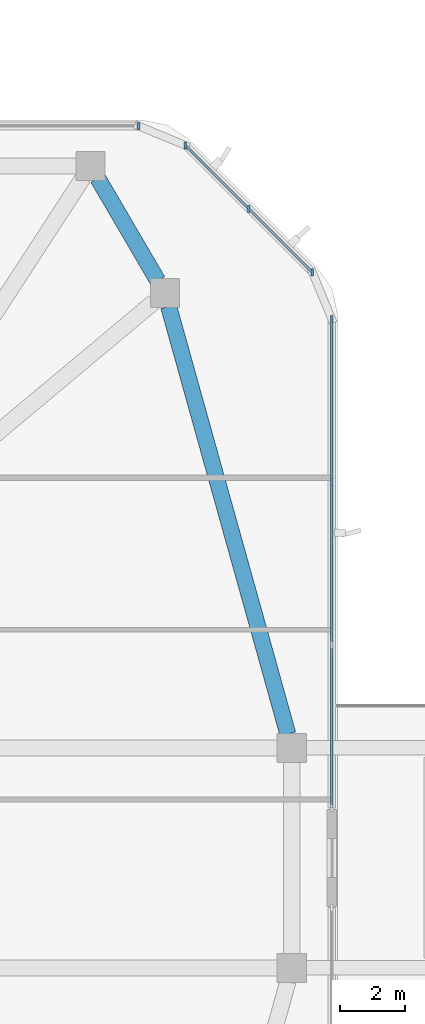
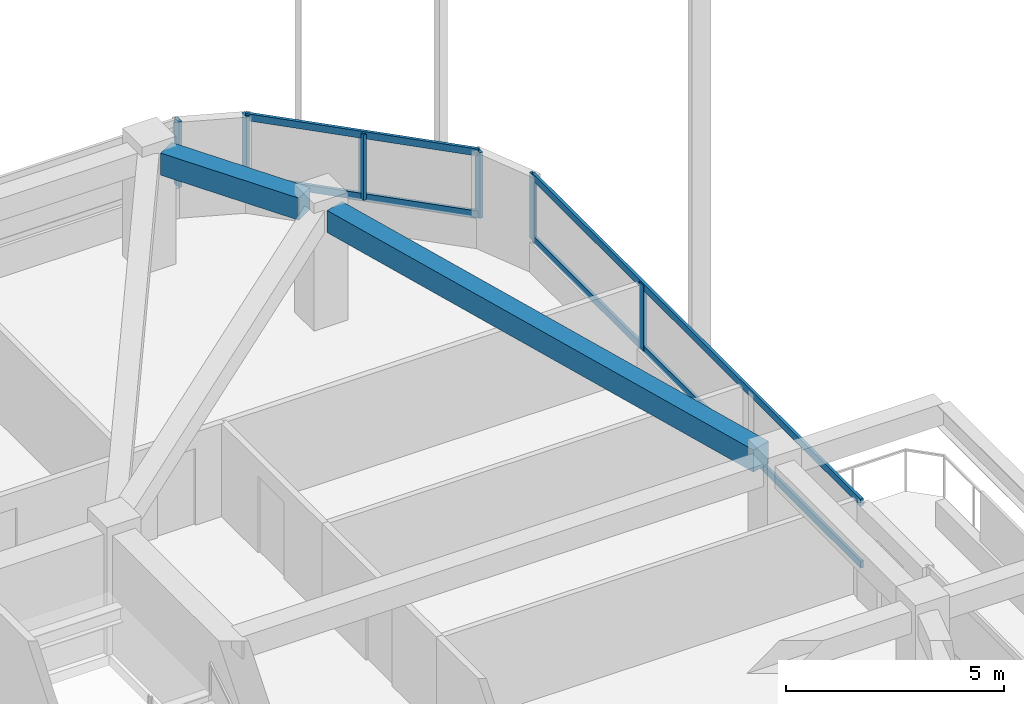
# One storey, part 8 of 17: 10 members, 2 beams, 3 elements without a shape of their own.
"""IFC4 building model written with IfcOpenShell, lengths in metres."""

from ifc_helpers import new_model, si_unit, derived_unit, direction, frame, origin, origin_2d, place, context, subcontext, project, spatial, rectangle, extrude, material, material_profile, profile_set, type_object, element, aggregate, save


model = new_model("IFC4")

# Units and contexts
model_context = context("Model", 3, precision=1e-05, world=origin(), true_north=direction((0.0, 1.0)))
body_context = subcontext(model_context, "Body", "Model", "MODEL_VIEW")
ifc_project = project(units=[si_unit("LENGTHUNIT", "METRE"), si_unit("AREAUNIT", "SQUARE_METRE"), si_unit("VOLUMEUNIT", "CUBIC_METRE"), si_unit("PLANEANGLEUNIT", "RADIAN"), si_unit("MASSUNIT", "GRAM", prefix="KILO"), derived_unit("THERMALTRANSMITTANCEUNIT", [(si_unit("POWERUNIT", "WATT"), 1), (si_unit("LENGTHUNIT", "METRE"), -2), (si_unit("THERMODYNAMICTEMPERATUREUNIT", "KELVIN"), -1)])], contexts=[model_context])

# Site, building, storey
site_placement = place(None, origin())
site = spatial("IfcSite", under=ifc_project, at=site_placement, CompositionType="ELEMENT")
building_placement = place(site_placement, origin())
building = spatial("IfcBuilding", under=site, at=building_placement, Name="Koralith Skygarden Medical Center", CompositionType="ELEMENT")
storey_placement = place(building_placement, frame((0.0, 0.0, 221.580078125)))
storey = spatial("IfcBuildingStorey", under=building, at=storey_placement, Name="L57", CompositionType="ELEMENT", Elevation=221.580078125)

# Curtain wall, members
ifc_material_1 = material(Name="Clear Laminated Glass", Category="glass")
curtain_wall_type = type_object("IfcCurtainWallType", Name="CW-5 Zone 4 Flare Biophilic Curtain Wall", PredefinedType="NOTDEFINED", material=ifc_material_1)
curtain_wall_1_placement = place(storey_placement, origin())
curtain_wall_1 = element("IfcCurtainWall", 1, at=curtain_wall_1_placement, inside=storey, type_object=curtain_wall_type, Name="Curtain Wall CW-L57-E-R", PredefinedType="NOTDEFINED")
ifc_material_2 = material(Name="Aluminium 6063-T6", Category="aluminium")
ifc_material_profile_1 = material_profile(ifc_material_2, rectangle(XDim=0.080078125, YDim=0.219970703125, at=origin_2d()), Name="MUL80X220")
ifc_profile_set_1 = profile_set([ifc_material_profile_1], Name="Aluminium 6063-T6")
member_type_1 = type_object("IfcMemberType", Name="CW-5 Extruded Mullion 80x220", PredefinedType="MULLION", material=ifc_profile_set_1)
member_1_placement = place(storey_placement, frame((63.9619140625, 37.510009765625, 0.849853515625), z_axis=(0.0, 0.0, 1.0), x_axis=(1.0, 0.0, 0.0)))
member_1 = element("IfcMember", 2, at=member_1_placement, type_object=member_type_1, Name="CW-L57-E-R Mullion 3", PredefinedType="MULLION", context=body_context, shape_type="SweptSolid", body=[
    extrude(rectangle(XDim=0.080078125, YDim=0.219970703125, at=origin_2d()), origin(), (0.0, 0.0, 1.0), 1.840087890625),
])
member_2_placement = place(storey_placement, frame((63.9619140625, 42.544921875, 0.849853515625), z_axis=(0.0, 0.0, 1.0), x_axis=(1.0, 0.0, 0.0)))
member_2 = element("IfcMember", 3, at=member_2_placement, type_object=member_type_1, Name="CW-L57-E-R Mullion 4", PredefinedType="MULLION", context=body_context, shape_type="SweptSolid", body=[
    extrude(rectangle(XDim=0.080078125, YDim=0.219970703125, at=origin_2d()), origin(), (0.0, 0.0, 1.0), 1.840087890625),
])

curtain_wall_2_placement = place(storey_placement, origin())
curtain_wall_2 = element("IfcCurtainWall", 4, at=curtain_wall_2_placement, inside=storey, type_object=curtain_wall_type, Name="Curtain Wall CW-L57-NE", PredefinedType="NOTDEFINED")
member_3_placement = place(storey_placement, frame((63.361083984375, 43.99609375, 0.849853515625), z_axis=(0.0, 0.0, 1.0), x_axis=(1.0, 0.0, 0.0)))
member_3 = element("IfcMember", 5, at=member_3_placement, type_object=member_type_1, Name="CW-L57-NE Mullion 1", PredefinedType="MULLION", context=body_context, shape_type="SweptSolid", body=[
    extrude(rectangle(XDim=0.080078125, YDim=0.219970703125, at=origin_2d()), origin(), (0.0, 0.0, 1.0), 1.840087890625),
])
member_4_placement = place(storey_placement, frame((61.39892578125, 45.9580078125, 0.849853515625), z_axis=(0.0, 0.0, 1.0), x_axis=(1.0, 0.0, 0.0)))
member_4 = element("IfcMember", 6, at=member_4_placement, type_object=member_type_1, Name="CW-L57-NE Mullion 2", PredefinedType="MULLION", context=body_context, shape_type="SweptSolid", body=[
    extrude(rectangle(XDim=0.080078125, YDim=0.219970703125, at=origin_2d()), origin(), (0.0, 0.0, 1.0), 1.840087890625),
])
member_5_placement = place(storey_placement, frame((59.43798828125, 47.9189453125, 0.849853515625), z_axis=(0.0, 0.0, 1.0), x_axis=(1.0, 0.0, 0.0)))
member_5 = element("IfcMember", 7, at=member_5_placement, type_object=member_type_1, Name="CW-L57-NE Mullion 3", PredefinedType="MULLION", context=body_context, shape_type="SweptSolid", body=[
    extrude(rectangle(XDim=0.080078125, YDim=0.219970703125, at=origin_2d()), origin(), (0.0, 0.0, 1.0), 1.840087890625),
])

# Curtain wall, member
curtain_wall_3_placement = place(storey_placement, origin())
curtain_wall_3 = element("IfcCurtainWall", 8, at=curtain_wall_3_placement, inside=storey, type_object=curtain_wall_type, Name="Curtain Wall CW-L57-N", PredefinedType="NOTDEFINED")
member_6_placement = place(storey_placement, frame((57.987060546875, 48.52001953125, 0.849853515625), z_axis=(0.0, 0.0, 1.0), x_axis=(1.0, 0.0, 0.0)))
member_6 = element("IfcMember", 9, at=member_6_placement, type_object=member_type_1, Name="CW-L57-N Mullion 1", PredefinedType="MULLION", context=body_context, shape_type="SweptSolid", body=[
    extrude(rectangle(XDim=0.080078125, YDim=0.219970703125, at=origin_2d()), origin(), (0.0, 0.0, 1.0), 1.840087890625),
])
aggregate(curtain_wall_3, [member_6])

# Member
ifc_material_profile_2 = material_profile(ifc_material_2, rectangle(XDim=0.074951171875, YDim=0.197998046875, at=origin_2d()), Name="TRN75X198")
ifc_profile_set_2 = profile_set([ifc_material_profile_2], Name="Aluminium 6063-T6")
member_type_2 = type_object("IfcMemberType", Name="CW-5 Thermal Transom 75x198", PredefinedType="USERDEFINED", material=ifc_profile_set_2)
member_7_placement = place(storey_placement, frame((63.9619140625, 27.43994140625, 0.89990234375), z_axis=(0.0, 1.0, 0.0), x_axis=(-1.0, 0.0, 0.0)))
member_7 = element("IfcMember", 10, at=member_7_placement, type_object=member_type_2, Name="CW-L57-E-R Transom 1", ObjectType="TRANSOM", PredefinedType="USERDEFINED", context=body_context, shape_type="SweptSolid", body=[
    extrude(rectangle(XDim=0.074951171875, YDim=0.197998046875, at=origin_2d()), origin(), (0.0, 0.0, 1.0), 15.10498046875),
])

member_8_placement = place(storey_placement, frame((63.9619140625, 27.43994140625, 2.639892578125), z_axis=(0.0, 1.0, 0.0), x_axis=(-1.0, 0.0, 0.0)))
member_8 = element("IfcMember", 11, at=member_8_placement, type_object=member_type_2, Name="CW-L57-E-R Transom 2", ObjectType="TRANSOM", PredefinedType="USERDEFINED", context=body_context, shape_type="SweptSolid", body=[
    extrude(rectangle(XDim=0.074951171875, YDim=0.197998046875, at=origin_2d()), origin(), (0.0, 0.0, 1.0), 15.10498046875),
])

aggregate(curtain_wall_1, [member_1, member_2, member_7, member_8])

member_9_placement = place(storey_placement, frame((63.361083984375, 43.99609375, 0.89990234375), z_axis=(-0.707128783731, 0.707084777957, 0.0), x_axis=(-0.707084777957, -0.707128783731, 0.0)))
member_9 = element("IfcMember", 12, at=member_9_placement, type_object=member_type_2, Name="CW-L57-NE Transom 1", ObjectType="TRANSOM", PredefinedType="USERDEFINED", context=body_context, shape_type="SweptSolid", body=[
    extrude(rectangle(XDim=0.074951171875, YDim=0.197998046875, at=origin_2d()), origin(), (0.0, 0.0, 1.0), 5.5478515625),
])

member_10_placement = place(storey_placement, frame((63.361083984375, 43.99609375, 2.639892578125), z_axis=(-0.707128783731, 0.707084777957, 0.0), x_axis=(-0.707084777957, -0.707128783731, 0.0)))
member_10 = element("IfcMember", 13, at=member_10_placement, type_object=member_type_2, Name="CW-L57-NE Transom 2", ObjectType="TRANSOM", PredefinedType="USERDEFINED", context=body_context, shape_type="SweptSolid", body=[
    extrude(rectangle(XDim=0.074951171875, YDim=0.197998046875, at=origin_2d()), origin(), (0.0, 0.0, 1.0), 5.5478515625),
])

aggregate(curtain_wall_2, [member_3, member_4, member_5, member_9, member_10])

# Beams
ifc_material_3 = material(Name="Concrete C45/55", Category="concrete")
ifc_material_profile_3 = material_profile(ifc_material_3, rectangle(XDim=0.5, YDim=0.6201171875, at=origin_2d()), Name="RCB500X620")
ifc_profile_set_3 = profile_set([ifc_material_profile_3], Name="Concrete C45/55")
beam_type = type_object("IfcBeamType", Name="Zone 4-5 Spandrel Beam RCB500X620", PredefinedType="SPANDREL", material=ifc_profile_set_3)
beam_1_placement = place(storey_placement, frame((62.60400390625, 29.72412109375, 3.010009765625), z_axis=(-0.26859849356, 0.96325222515, 0.0), x_axis=(-0.96325222515, -0.26859849356, 0.0)))
element("IfcBeam", 14, at=beam_1_placement, inside=storey, type_object=beam_type, Name="L57 Perimeter Spandrel Beam SP-09", PredefinedType="SPANDREL", context=body_context, shape_type="SweptSolid", body=[
    extrude(rectangle(XDim=0.5, YDim=0.6201171875, at=origin_2d()), origin(), (0.0, 0.0, 1.0), 13.716064453125),
])
beam_2_placement = place(storey_placement, frame((58.580078125, 43.739990234375, 3.010009765625), z_axis=(-0.504861750403, 0.863200216045, 0.0), x_axis=(-0.863200216045, -0.504861750403, 0.0)))
element("IfcBeam", 15, at=beam_2_placement, inside=storey, type_object=beam_type, Name="L57 Perimeter Spandrel Beam SP-10", PredefinedType="SPANDREL", context=body_context, shape_type="SweptSolid", body=[
    extrude(rectangle(XDim=0.5, YDim=0.6201171875, at=origin_2d()), origin(), (0.0, 0.0, 1.0), 3.66064453125),
])

save(model, "model.ifc")
